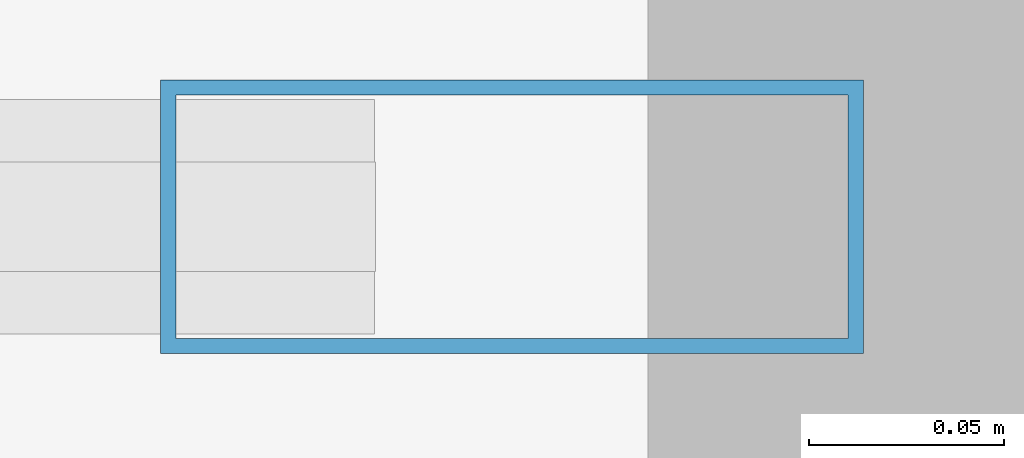
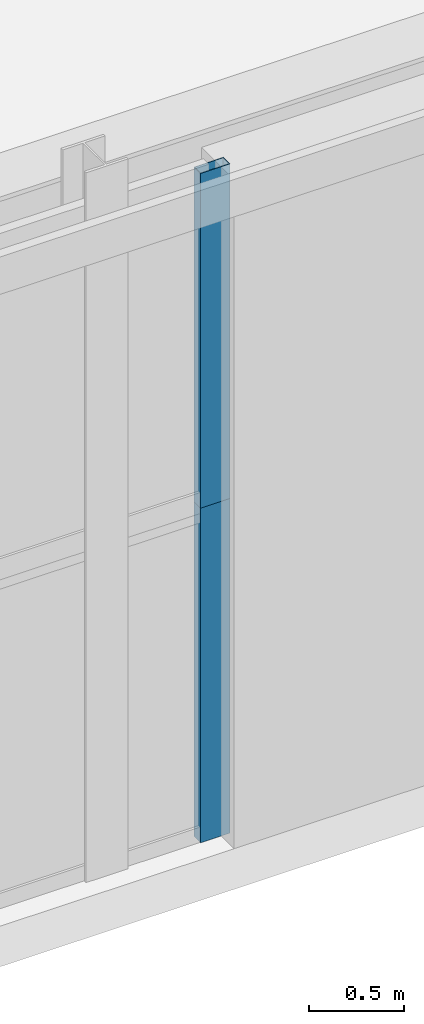
# One storey, part 18 of 26: 2 members, 2 elements without a shape of their own.
"""IFC4 building model written with IfcOpenShell, lengths in metres."""

from ifc_helpers import new_model, si_unit, direction, frame, origin, origin_2d, place, context, subcontext, project, spatial, hollow_rectangle, extrude, source, transform, mapped, material, layer, layer_set, material_profile, profile_set, type_object, element, aggregate, save


model = new_model("IFC4")

# Units and contexts
model_context = context("Model", 3, precision=1e-05, world=origin(), true_north=direction((0.0, 1.0)))
body_context = subcontext(model_context, "Body", "Model", "MODEL_VIEW")
ifc_project = project(units=[si_unit("LENGTHUNIT", "METRE"), si_unit("AREAUNIT", "SQUARE_METRE"), si_unit("VOLUMEUNIT", "CUBIC_METRE"), si_unit("PLANEANGLEUNIT", "RADIAN"), si_unit("MASSUNIT", "GRAM", prefix="KILO")], contexts=[model_context])

# Site, building, storey
site_placement = place(None, origin())
site = spatial("IfcSite", under=ifc_project, at=site_placement, CompositionType="ELEMENT")
building_placement = place(site_placement, origin())
building = spatial("IfcBuilding", under=site, at=building_placement, Name="Taldren Reach Tower", CompositionType="ELEMENT")
storey_placement = place(building_placement, frame((0.0, 0.0, 8.39990234375)))
storey = spatial("IfcBuildingStorey", under=building, at=storey_placement, Name="L02", CompositionType="ELEMENT", Elevation=8.39990234375)

# Curtain wall, member
ifc_material_1 = material(Name="Aluminium and Low-E Glass Unitised System", Category="aluminium")
ifc_layer = layer(ifc_material_1, 0.159912109375)
ifc_layer_set = layer_set([ifc_layer], Name="Aluminium and Low-E Glass Unitised System")
curtain_wall_type = type_object("IfcCurtainWallType", Name="CW-SYS-1", PredefinedType="NOTDEFINED", material=ifc_layer_set)
curtain_wall_1_placement = place(storey_placement, origin())
curtain_wall_1 = element("IfcCurtainWall", 1, at=curtain_wall_1_placement, inside=storey, type_object=curtain_wall_type, Name="Unitised curtain wall CW1-L02-S3", PredefinedType="NOTDEFINED")
ifc_material_2 = material(Name="Anodised Aluminium 6063-T6", Category="aluminium")
ifc_material_profile = material_profile(ifc_material_2, hollow_rectangle(XDim=0.070068359375, YDim=0.179931640625, WallThickness=0.00390625, at=origin_2d()), Name="ALU-180x70x4RHS")
ifc_profile_set = profile_set([ifc_material_profile], Name="Anodised Aluminium 6063-T6")
member_type = type_object("IfcMemberType", Name="CW-MUL-180", PredefinedType="MULLION", material=ifc_profile_set)
shared_shape = source(origin(), body_context, "Body", "SweptSolid", [
    extrude(hollow_rectangle(XDim=0.070068359375, YDim=0.179931640625, WallThickness=0.00390625, at=origin_2d()), origin(), (0.0, 0.0, 1.0), 2.14501953125),
])
member_1_placement = place(storey_placement, frame((63.1650390625, 0.169921875, 0.0), z_axis=(0.0, 0.0, 1.0), x_axis=(0.0, 1.0, 0.0)))
member_1 = element("IfcMember", 2, at=member_1_placement, type_object=member_type, Name="CW-1 mullion 3", PredefinedType="MULLION", context=body_context, shape_type="MappedRepresentation", body=[
    mapped(shared_shape, transform((0.0, 0.0, 0.0), scale=1.0)),
])
aggregate(curtain_wall_1, [member_1])

curtain_wall_2_placement = place(storey_placement, origin())
curtain_wall_2 = element("IfcCurtainWall", 3, at=curtain_wall_2_placement, inside=storey, type_object=curtain_wall_type, Name="Unitised curtain wall CW1-L02-S3-T2", PredefinedType="NOTDEFINED")
member_2_placement = place(storey_placement, frame((63.1650390625, 0.169921875, 2.14501953125), z_axis=(0.0, 0.0, 1.0), x_axis=(0.0, 1.0, 0.0)))
member_2 = element("IfcMember", 4, at=member_2_placement, type_object=member_type, Name="CW-1 mullion 3", PredefinedType="MULLION", context=body_context, shape_type="MappedRepresentation", body=[
    mapped(shared_shape, transform((0.0, 0.0, 0.0), scale=1.0)),
])
aggregate(curtain_wall_2, [member_2])

save(model, "model.ifc")
